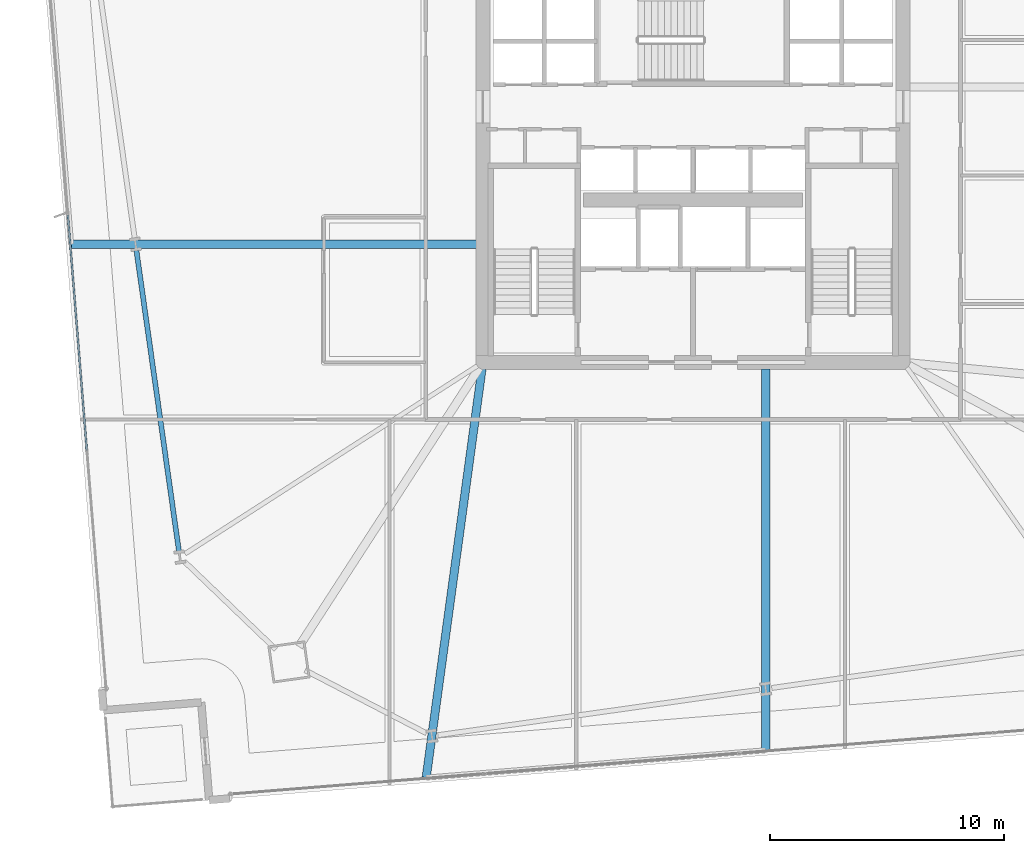
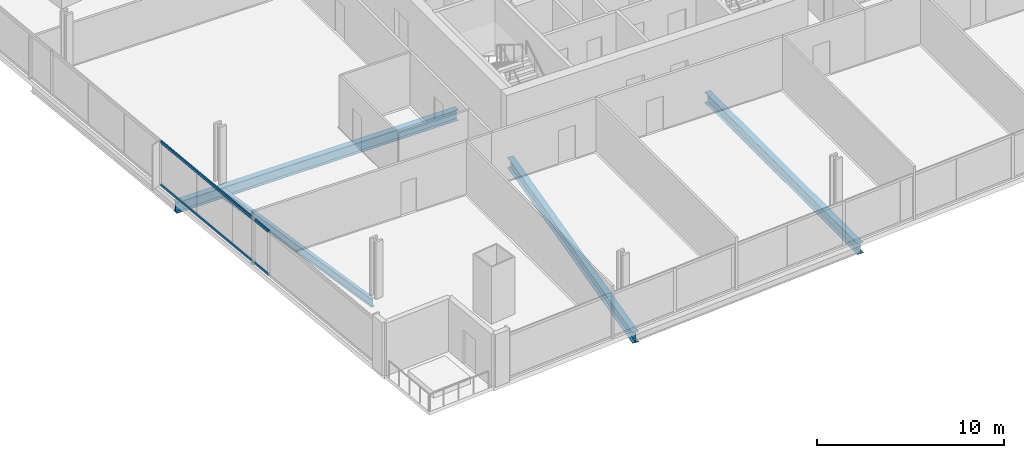
# One storey, part 6 of 33: 4 beams, 2 members, 1 element without a shape of its own.
"""IFC4 building model written with IfcOpenShell, lengths in metres."""

from ifc_helpers import new_model, si_unit, direction, frame, origin, origin_2d, place, context, subcontext, project, spatial, hollow_rectangle, i_section, extrude, material, material_profile, profile_set, type_object, element, aggregate, save


model = new_model("IFC4")

# Units and contexts
model_context = context("Model", 3, precision=1e-05, world=origin(), true_north=direction((0.0, 1.0)))
body_context = subcontext(model_context, "Body", "Model", "MODEL_VIEW")
ifc_project = project(units=[si_unit("LENGTHUNIT", "METRE"), si_unit("AREAUNIT", "SQUARE_METRE"), si_unit("VOLUMEUNIT", "CUBIC_METRE"), si_unit("PLANEANGLEUNIT", "RADIAN"), si_unit("MASSUNIT", "GRAM", prefix="KILO")], contexts=[model_context])

# Site, building, storey
site_placement = place(None, origin())
site = spatial("IfcSite", under=ifc_project, at=site_placement, CompositionType="ELEMENT")
building_placement = place(site_placement, origin())
building = spatial("IfcBuilding", under=site, at=building_placement, Name="Haldenkirk Collegiate Tower", CompositionType="ELEMENT")
storey_placement = place(building_placement, frame((0.0, 0.0, 43.949951171875)))
storey = spatial("IfcBuildingStorey", under=building, at=storey_placement, Name="L09", CompositionType="ELEMENT", Elevation=43.949951171875)

# Beams
ifc_material_1 = material(Name="Steel ASTM A992 Grade 50", Category="steel")
ifc_material_profile_1 = material_profile(ifc_material_1, i_section(OverallWidth=0.35498046875, OverallDepth=0.696044921875, WebThickness=0.015380859375, FlangeThickness=0.02490234375, at=origin_2d()), Name="W27X146")
ifc_profile_set_1 = profile_set([ifc_material_profile_1], Name="Steel ASTM A992 Grade 50")
beam_type_1 = type_object("IfcBeamType", Name="BM-GIRDER-W27X146", PredefinedType="BEAM", material=ifc_profile_set_1)
beam_1_placement = place(storey_placement, frame((24.572509765625, 0.220458984375, -0.657958984375), z_axis=(0.13527910988, 0.990807530467, 0.0), x_axis=(-0.990807530467, 0.13527910988, 0.0)))
element("IfcBeam", 1, at=beam_1_placement, inside=storey, type_object=beam_type_1, Name="L09 primary floor girder 05", PredefinedType="BEAM", context=body_context, shape_type="SweptSolid", body=[
    extrude(i_section(OverallWidth=0.35498046875, OverallDepth=0.696044921875, WebThickness=0.015380859375, FlangeThickness=0.02490234375, at=origin_2d()), origin(), (0.0, 0.0, 1.0), 17.66455078125),
])
beam_2_placement = place(storey_placement, frame((39.10888671875, 1.39013671875, -0.657958984375), z_axis=(0.0, 1.0, 0.0), x_axis=(-1.0, 0.0, 0.0)))
element("IfcBeam", 2, at=beam_2_placement, inside=storey, type_object=beam_type_1, Name="L09 primary floor girder 06", PredefinedType="BEAM", context=body_context, shape_type="SweptSolid", body=[
    extrude(i_section(OverallWidth=0.35498046875, OverallDepth=0.696044921875, WebThickness=0.015380859375, FlangeThickness=0.02490234375, at=origin_2d()), origin(), (0.0, 0.0, 1.0), 16.329833984375),
])
beam_3_placement = place(storey_placement, frame((9.37060546875, 23.052978515625, -0.657958984375), z_axis=(1.0, 0.0, 0.0), x_axis=(0.0, 1.0, 0.0)))
element("IfcBeam", 3, at=beam_3_placement, inside=storey, type_object=beam_type_1, Name="L09 primary floor girder 15", PredefinedType="BEAM", context=body_context, shape_type="SweptSolid", body=[
    extrude(i_section(OverallWidth=0.35498046875, OverallDepth=0.696044921875, WebThickness=0.015380859375, FlangeThickness=0.02490234375, at=origin_2d()), origin(), (0.0, 0.0, 1.0), 17.349365234375),
])
ifc_material_profile_2 = material_profile(ifc_material_1, i_section(OverallWidth=0.2119140625, OverallDepth=0.5439453125, WebThickness=0.01318359375, FlangeThickness=0.021240234375, at=origin_2d()), Name="W21X83")
ifc_profile_set_2 = profile_set([ifc_material_profile_2], Name="Steel ASTM A992 Grade 50")
beam_type_2 = type_object("IfcBeamType", Name="BM-SPANDREL-W21X83", PredefinedType="SPANDREL", material=ifc_profile_set_2)
beam_4_placement = place(storey_placement, frame((12.16455078125, 22.791015625, -0.58203125), z_axis=(0.140043508171, -0.990145350855, 0.0), x_axis=(0.990145350855, 0.140043508171, 0.0)))
element("IfcBeam", 4, at=beam_4_placement, inside=storey, type_object=beam_type_2, Name="L09 perimeter spandrel beam 15", PredefinedType="SPANDREL", context=body_context, shape_type="SweptSolid", body=[
    extrude(i_section(OverallWidth=0.2119140625, OverallDepth=0.5439453125, WebThickness=0.01318359375, FlangeThickness=0.021240234375, at=origin_2d()), origin(), (0.0, 0.0, 1.0), 13.0),
])

# Curtain wall, members
ifc_material_2 = material(Name="Anodised architectural bronze aluminium", Category="aluminium")
curtain_wall_type = type_object("IfcCurtainWallType", Name="CW-SYS1-CONVEX-LOW", PredefinedType="USERDEFINED", material=ifc_material_2)
curtain_wall_placement = place(storey_placement, origin())
curtain_wall = element("IfcCurtainWall", 5, at=curtain_wall_placement, inside=storey, type_object=curtain_wall_type, Name="L09 Lower tower convex bronze-framed unitised curtain wall", ObjectType="UNITISED CURTAIN WALL", PredefinedType="USERDEFINED")
ifc_material_profile_3 = material_profile(ifc_material_2, hollow_rectangle(XDim=0.080078125, YDim=0.179931640625, WallThickness=0.0048828125, at=origin_2d()), Name="CW-TRN-1A")
ifc_profile_set_3 = profile_set([ifc_material_profile_3], Name="Anodised architectural bronze aluminium")
member_type = type_object("IfcMemberType", Name="CW-TRN-1A", PredefinedType="USERDEFINED", material=ifc_profile_set_3)
member_1_placement = place(storey_placement, frame((10.041015625, 14.22021484375, 0.0400390625), z_axis=(-0.080190119239, 0.996779586858, 0.0), x_axis=(-0.996779586858, -0.080190119239, 0.0)))
member_1 = element("IfcMember", 6, at=member_1_placement, type_object=member_type, Name="CW-1A transom 2.1", ObjectType="TRANSOM", PredefinedType="USERDEFINED", context=body_context, shape_type="SweptSolid", body=[
    extrude(hollow_rectangle(XDim=0.080078125, YDim=0.179931640625, WallThickness=0.0048828125, at=origin_2d()), origin(), (0.0, 0.0, 1.0), 10.119873046875),
])
member_2_placement = place(storey_placement, frame((10.041015625, 14.22021484375, 2.85107421875), z_axis=(-0.080190119239, 0.996779586858, 0.0), x_axis=(-0.996779586858, -0.080190119239, 0.0)))
member_2 = element("IfcMember", 7, at=member_2_placement, type_object=member_type, Name="CW-1A transom 2.2", ObjectType="TRANSOM", PredefinedType="USERDEFINED", context=body_context, shape_type="SweptSolid", body=[
    extrude(hollow_rectangle(XDim=0.080078125, YDim=0.179931640625, WallThickness=0.0048828125, at=origin_2d()), origin(), (0.0, 0.0, 1.0), 10.119873046875),
])
aggregate(curtain_wall, [member_1, member_2])

save(model, "model.ifc")
